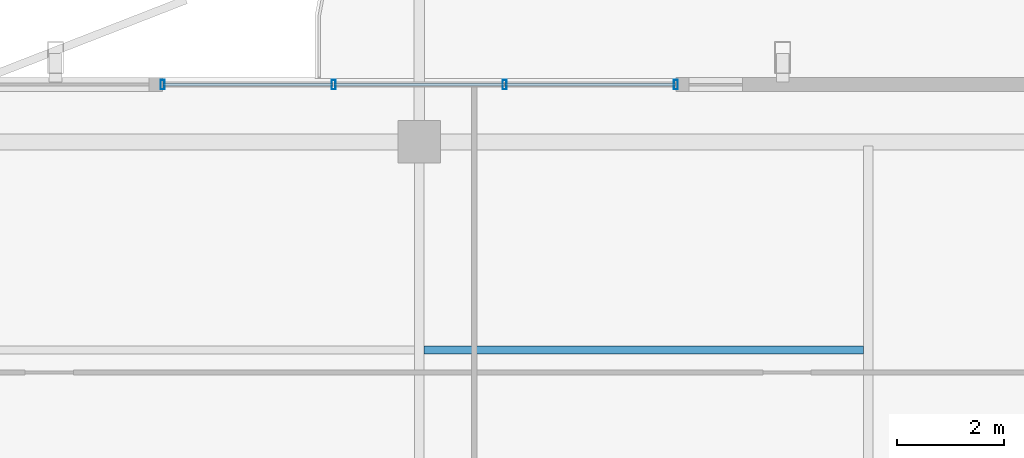
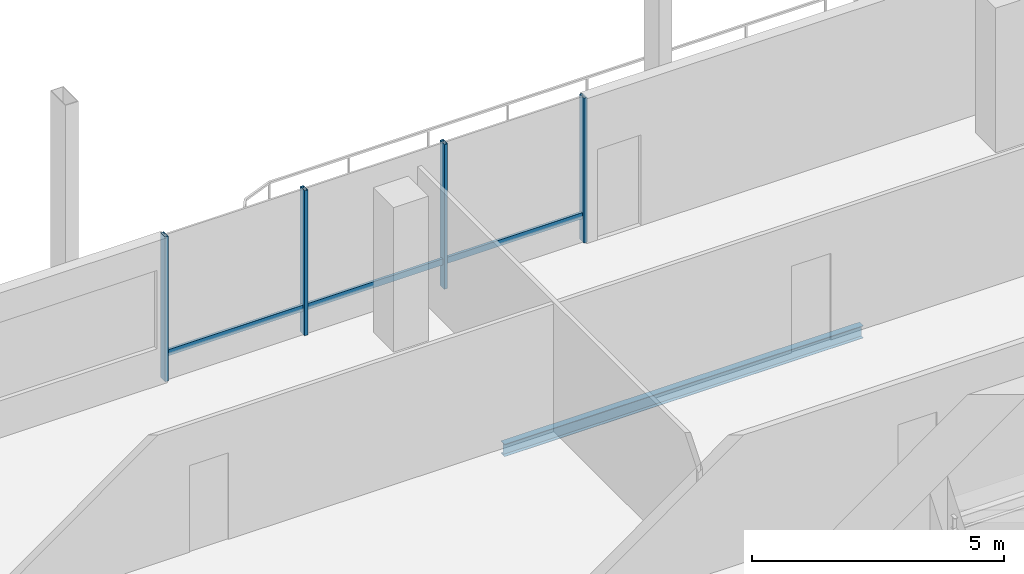
# One storey, part 13 of 22: 7 members, 1 beam, 1 element without a shape of its own.
"""IFC4 building model written with IfcOpenShell, lengths in metres."""

from ifc_helpers import new_model, si_unit, direction, frame, origin, origin_2d, place, context, subcontext, project, spatial, hollow_rectangle, i_section, extrude, material, layer, layer_set, material_profile, profile_set, type_object, element, aggregate, save


model = new_model("IFC4")

# Units and contexts
model_context = context("Model", 3, precision=1e-05, world=origin(), true_north=direction((0.0, 1.0)))
body_context = subcontext(model_context, "Body", "Model", "MODEL_VIEW")
ifc_project = project(units=[si_unit("LENGTHUNIT", "METRE"), si_unit("AREAUNIT", "SQUARE_METRE"), si_unit("VOLUMEUNIT", "CUBIC_METRE"), si_unit("PLANEANGLEUNIT", "RADIAN"), si_unit("MASSUNIT", "GRAM", prefix="KILO")], contexts=[model_context])

# Site, building, storey
site_placement = place(None, origin())
site = spatial("IfcSite", under=ifc_project, at=site_placement, CompositionType="ELEMENT")
building_placement = place(site_placement, origin())
building = spatial("IfcBuilding", under=site, at=building_placement, Name="Belovzor Exchange Tower", CompositionType="ELEMENT")
storey_placement = place(building_placement, frame((0.0, 0.0, 336.75)))
storey = spatial("IfcBuildingStorey", under=building, at=storey_placement, Name="L84", CompositionType="ELEMENT", Elevation=336.75)

# Beam
ifc_material_1 = material(Name="Steel S355", Category="steel")
ifc_material_profile_1 = material_profile(ifc_material_1, i_section(OverallWidth=0.14990234375, OverallDepth=0.300048828125, WebThickness=0.007080078125, FlangeThickness=0.0107421875, at=origin_2d()))
ifc_profile_set_1 = profile_set([ifc_material_profile_1], Name="Steel S355")
beam_type = type_object("IfcBeamType", Name="Secondary Trim Floor Joist IPE 300", PredefinedType="BEAM", material=ifc_profile_set_1)
beam_placement = place(storey_placement, frame((28.889892578125, 45.908935546875, -0.389892578125), z_axis=(1.0, 0.0, 0.0), x_axis=(0.0, 1.0, 0.0)))
element("IfcBeam", 1, at=beam_placement, inside=storey, type_object=beam_type, Name="FJ-300 Secondary Trim Floor Joist IPE 300", PredefinedType="BEAM", context=body_context, shape_type="SweptSolid", body=[
    extrude(i_section(OverallWidth=0.14990234375, OverallDepth=0.300048828125, WebThickness=0.007080078125, FlangeThickness=0.0107421875, at=origin_2d()), origin(), (0.0, 0.0, 1.0), 8.22021484375),
])

# Curtain wall, members
ifc_material_2 = material(Name="Anodised Aluminium Framing", Category="aluminium")
ifc_layer = layer(ifc_material_2, 0.179931640625)
ifc_layer_set = layer_set([ifc_layer], Name="Anodised Aluminium Framing")
curtain_wall_type = type_object("IfcCurtainWallType", Name="Recessed Loggia Low-Iron Triple-Glazed Curtain Wall", PredefinedType="NOTDEFINED", material=ifc_layer_set)
curtain_wall_placement = place(storey_placement, origin())
curtain_wall = element("IfcCurtainWall", 2, at=curtain_wall_placement, inside=storey, type_object=curtain_wall_type, Name="CW3 Recessed Loggia Low-Iron Triple-Glazed Curtain Wall L84", PredefinedType="NOTDEFINED")
ifc_material_3 = material(Name="Steel S355", Category="steel")
ifc_material_profile_2 = material_profile(ifc_material_3, hollow_rectangle(XDim=0.074951171875, YDim=0.179931640625, WallThickness=0.0048828125, at=origin_2d()))
ifc_profile_set_2 = profile_set([ifc_material_profile_2], Name="Steel S355")
member_type_1 = type_object("IfcMemberType", Name="Thermally Broken Curtain Wall Mullion 180x75", PredefinedType="MULLION", material=ifc_profile_set_2)
member_1_placement = place(storey_placement, frame((24.0, 50.8701171875, 0.0), z_axis=(0.0, 0.0, 1.0), x_axis=(1.0, 0.0, 0.0)))
member_1 = element("IfcMember", 3, at=member_1_placement, type_object=member_type_1, Name="CW-M180 Curtain Wall Mullion 1", PredefinedType="MULLION", context=body_context, shape_type="SweptSolid", body=[
    extrude(hollow_rectangle(XDim=0.074951171875, YDim=0.179931640625, WallThickness=0.0048828125, at=origin_2d()), origin(), (0.0, 0.0, 1.0), 3.510009765625),
])
member_2_placement = place(storey_placement, frame((27.199951171875, 50.8701171875, 0.0), z_axis=(0.0, 0.0, 1.0), x_axis=(1.0, 0.0, 0.0)))
member_2 = element("IfcMember", 4, at=member_2_placement, type_object=member_type_1, Name="CW-M180 Curtain Wall Mullion 2", PredefinedType="MULLION", context=body_context, shape_type="SweptSolid", body=[
    extrude(hollow_rectangle(XDim=0.074951171875, YDim=0.179931640625, WallThickness=0.0048828125, at=origin_2d()), origin(), (0.0, 0.0, 1.0), 3.510009765625),
])
member_3_placement = place(storey_placement, frame((30.39990234375, 50.8701171875, 0.0), z_axis=(0.0, 0.0, 1.0), x_axis=(1.0, 0.0, 0.0)))
member_3 = element("IfcMember", 5, at=member_3_placement, type_object=member_type_1, Name="CW-M180 Curtain Wall Mullion 3", PredefinedType="MULLION", context=body_context, shape_type="SweptSolid", body=[
    extrude(hollow_rectangle(XDim=0.074951171875, YDim=0.179931640625, WallThickness=0.0048828125, at=origin_2d()), origin(), (0.0, 0.0, 1.0), 3.510009765625),
])
member_4_placement = place(storey_placement, frame((33.60009765625, 50.8701171875, 0.0), z_axis=(0.0, 0.0, 1.0), x_axis=(1.0, 0.0, 0.0)))
member_4 = element("IfcMember", 6, at=member_4_placement, type_object=member_type_1, Name="CW-M180 Curtain Wall Mullion 4", PredefinedType="MULLION", context=body_context, shape_type="SweptSolid", body=[
    extrude(hollow_rectangle(XDim=0.074951171875, YDim=0.179931640625, WallThickness=0.0048828125, at=origin_2d()), origin(), (0.0, 0.0, 1.0), 3.510009765625),
])
ifc_material_4 = material(Name="Steel S355", Category="steel")
ifc_material_profile_3 = material_profile(ifc_material_4, hollow_rectangle(XDim=0.06005859375, YDim=0.14990234375, WallThickness=0.00390625, at=origin_2d()))
ifc_profile_set_3 = profile_set([ifc_material_profile_3], Name="Steel S355")
member_type_2 = type_object("IfcMemberType", Name="Thermally Broken Curtain Wall Transom 150x60", PredefinedType="USERDEFINED", material=ifc_profile_set_3)
member_5_placement = place(storey_placement, frame((24.008056640625, 50.8701171875, 0.632080078125), z_axis=(1.0, 0.0, 0.0), x_axis=(0.0, 1.0, 0.0)))
member_5 = element("IfcMember", 7, at=member_5_placement, type_object=member_type_2, Name="CW-T150 Curtain Wall Transom 1", ObjectType="TRANSOM", PredefinedType="USERDEFINED", context=body_context, shape_type="SweptSolid", body=[
    extrude(hollow_rectangle(XDim=0.06005859375, YDim=0.14990234375, WallThickness=0.00390625, at=origin_2d()), origin(), (0.0, 0.0, 1.0), 3.183837890625),
])
member_6_placement = place(storey_placement, frame((27.2080078125, 50.8701171875, 0.632080078125), z_axis=(1.0, 0.0, 0.0), x_axis=(0.0, 1.0, 0.0)))
member_6 = element("IfcMember", 8, at=member_6_placement, type_object=member_type_2, Name="CW-T150 Curtain Wall Transom 2", ObjectType="TRANSOM", PredefinedType="USERDEFINED", context=body_context, shape_type="SweptSolid", body=[
    extrude(hollow_rectangle(XDim=0.06005859375, YDim=0.14990234375, WallThickness=0.00390625, at=origin_2d()), origin(), (0.0, 0.0, 1.0), 3.18408203125),
])
member_7_placement = place(storey_placement, frame((30.407958984375, 50.8701171875, 0.632080078125), z_axis=(1.0, 0.0, 0.0), x_axis=(0.0, 1.0, 0.0)))
member_7 = element("IfcMember", 9, at=member_7_placement, type_object=member_type_2, Name="CW-T150 Curtain Wall Transom 3", ObjectType="TRANSOM", PredefinedType="USERDEFINED", context=body_context, shape_type="SweptSolid", body=[
    extrude(hollow_rectangle(XDim=0.06005859375, YDim=0.14990234375, WallThickness=0.00390625, at=origin_2d()), origin(), (0.0, 0.0, 1.0), 3.18408203125),
])
aggregate(curtain_wall, [member_1, member_2, member_3, member_4, member_5, member_6, member_7])

save(model, "model.ifc")
